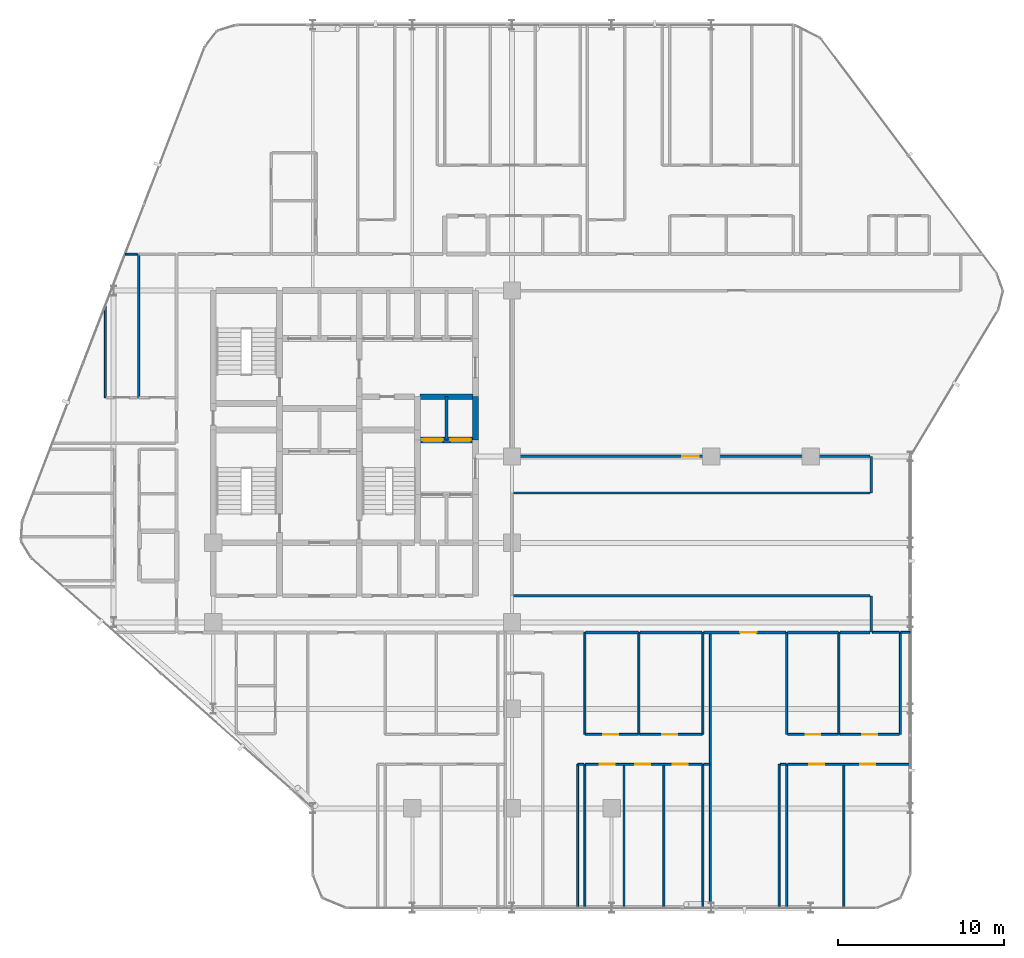
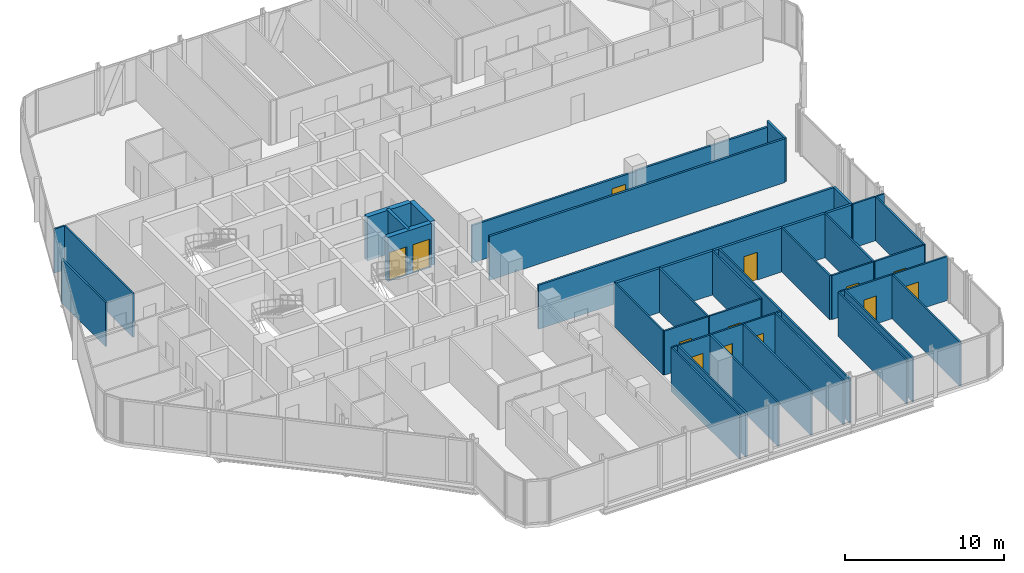
# One storey, part 25 of 29: 44 walls, 13 doors, 13 openings.
"""IFC4 building model written with IfcOpenShell, lengths in metres."""

from ifc_helpers import new_model, si_unit, direction, frame, frame_2d, origin, place, context, subcontext, project, spatial, rectangle, extrude, material, layer, layer_set, type_object, element, fill, save


model = new_model("IFC4")

# Units and contexts
model_context = context("Model", 3, precision=1e-05, world=origin(), true_north=direction((0.0, 1.0)))
body_context = subcontext(model_context, "Body", "Model", "MODEL_VIEW")
ifc_project = project(units=[si_unit("LENGTHUNIT", "METRE"), si_unit("AREAUNIT", "SQUARE_METRE"), si_unit("VOLUMEUNIT", "CUBIC_METRE"), si_unit("PLANEANGLEUNIT", "RADIAN"), si_unit("MASSUNIT", "GRAM", prefix="KILO")], contexts=[model_context])

# Site, building, storey
site_placement = place(None, origin())
site = spatial("IfcSite", under=ifc_project, at=site_placement, CompositionType="ELEMENT")
building_placement = place(site_placement, origin())
building = spatial("IfcBuilding", under=site, at=building_placement, Name="Keshet Zoharim Tower", CompositionType="ELEMENT")
storey_placement = place(building_placement, frame((0.0, 0.0, 94.60009765625)))
storey = spatial("IfcBuildingStorey", under=building, at=storey_placement, Name="L22", CompositionType="ELEMENT", Elevation=94.60009765625)

# Walls
ifc_material_1 = material(Name="Gypsum Plasterboard", Category="gypsum")
ifc_layer_1 = layer(ifc_material_1, 0.14990234375)
ifc_layer_set_1 = layer_set([ifc_layer_1], Name="Gypsum Plasterboard")
wall_type_1 = type_object("IfcWallType", Name="WL-CLIN-150", PredefinedType="STANDARD", material=ifc_layer_set_1)
wall_1_placement = place(storey_placement, frame((54.64990234375, 17.31005859375, 0.0), z_axis=(0.0, 0.0, 1.0), x_axis=(0.0, 1.0, 0.0)))
element("IfcWall", 1, at=wall_1_placement, inside=storey, type_object=wall_type_1, Name="L22 Interior Wall 111", PredefinedType="STANDARD", context=body_context, shape_type="SweptSolid", body=[
    extrude(rectangle(XDim=2.18994140625, YDim=0.14990234375, at=frame_2d((1.094970703125, 0.0))), origin(), (0.0, 0.0, 1.0), 3.385009765625),
])
wall_2_placement = place(storey_placement, frame((54.64990234375, 25.699951171875, 0.0), z_axis=(0.0, 0.0, 1.0), x_axis=(0.0, 1.0, 0.0)))
element("IfcWall", 2, at=wall_2_placement, inside=storey, type_object=wall_type_1, Name="L22 Interior Wall 112", PredefinedType="STANDARD", context=body_context, shape_type="SweptSolid", body=[
    extrude(rectangle(XDim=2.199951171875, YDim=0.14990234375, at=frame_2d((1.10009765625, 0.0))), origin(), (0.0, 0.0, 1.0), 3.385009765625),
])
for number, where, z_axis, x_axis, name in (
    (3, (33.070068359375, 19.5, 0.0), (0.0, 0.0, 1.0), (1.0, 0.0, 0.0), "L22 Interior Wall 153"),
    (4, (33.070068359375, 25.699951171875, 0.0), (0.0, 0.0, 1.0), (1.0, 0.0, 0.0), "L22 Interior Wall 167"),
):
    element("IfcWall", number, at=place(storey_placement, frame(where, z_axis=z_axis, x_axis=x_axis)), inside=storey, type_object=wall_type_1, Name=name, PredefinedType="STANDARD", context=body_context, shape_type="SweptSolid", body=[
        extrude(rectangle(XDim=21.510009765625, YDim=0.14990234375, at=frame_2d((10.7548828125, 0.0))), origin(), (0.0, 0.0, 1.0), 3.385009765625),
    ])

# Wall, opening, door
wall_3_placement = place(storey_placement, frame((33.070068359375, 27.89990234375, 0.0), z_axis=(0.0, 0.0, 1.0), x_axis=(1.0, 0.0, 0.0)))
wall_3 = element("IfcWall", 5, at=wall_3_placement, inside=storey, type_object=wall_type_1, Name="L22 Interior Wall 168", PredefinedType="STANDARD", context=body_context, shape_type="SweptSolid", body=[
    extrude(rectangle(XDim=11.929931640625, YDim=0.14990234375, at=frame_2d((5.96484375, 0.0))), origin(), (0.0, 0.0, 1.0), 2.885009765625),
])
opening_1_placement = place(wall_3_placement, frame((10.18505859375, 0.0, 0.0)))
opening_1 = element("IfcOpeningElement", 6, at=opening_1_placement, cuts=wall_3, Name="Opening D-F310", PredefinedType="OPENING", context=body_context, shape_type="SweptSolid", body=[
    extrude(rectangle(XDim=1.0, YDim=2.14990234375, at=frame_2d((0.5, 1.074951171875))), frame((0.0, 0.0849609375, 0.0), z_axis=(0.0, -1.0, 0.0), x_axis=(1.0, 0.0, 0.0)), (0.0, 0.0, 1.0), 0.169921875),
])
ifc_material_2 = material(Name="Hardwood Timber", Category="wood")
door_type_1 = type_object("IfcDoorType", Name="DR-FD30-100", OperationType="NOTDEFINED", PredefinedType="DOOR", material=ifc_material_2)
door_1_placement = place(opening_1_placement, origin())
door_1 = element("IfcDoor", 7, at=door_1_placement, inside=storey, type_object=door_type_1, Name="L22 North East Residents Services Suite Door 2", OperationType="SINGLE_SWING_LEFT", OverallHeight=2.14990234375, OverallWidth=1.0, PredefinedType="DOOR", context=body_context, shape_type="SweptSolid", body=[
    extrude(rectangle(XDim=1.0, YDim=2.14990234375, at=frame_2d((0.5, 1.074951171875))), frame((0.0, 0.02490234375, 0.0), z_axis=(0.0, -1.0, 0.0), x_axis=(1.0, 0.0, 0.0)), (0.0, 0.0, 1.0), 0.050048828125),
])
fill(opening_1, door_1)

# Walls
wall_4_placement = place(storey_placement, frame((45.0, 27.89990234375, 0.0), z_axis=(0.0, 0.0, 1.0), x_axis=(1.0, 0.0, 0.0)))
element("IfcWall", 8, at=wall_4_placement, inside=storey, type_object=wall_type_1, Name="L22 Interior Wall 168 Part 2", PredefinedType="STANDARD", context=body_context, shape_type="SweptSolid", body=[
    extrude(rectangle(XDim=9.580078125, YDim=0.14990234375, at=frame_2d((4.7900390625, 0.0))), origin(), (0.0, 0.0, 1.0), 2.934814453125),
])
ifc_material_3 = material(Name="Concrete C60/75", Category="concrete")
ifc_layer_2 = layer(ifc_material_3, 0.35009765625)
ifc_layer_set_2 = layer_set([ifc_layer_2], Name="Concrete C60/75")
wall_type_2 = type_object("IfcWallType", Name="WL-CORE-350", PredefinedType="SHEAR", material=ifc_layer_set_2)
wall_5_placement = place(storey_placement, frame((30.800048828125, 28.89990234375, 0.0), z_axis=(0.0, 0.0, 1.0), x_axis=(0.0, 1.0, 0.0)))
element("IfcWall", 9, at=wall_5_placement, inside=storey, type_object=wall_type_2, Name="L22 Core Shear Wall 065", PredefinedType="SHEAR", context=body_context, shape_type="SweptSolid", body=[
    extrude(rectangle(XDim=2.60009765625, YDim=0.35009765625, at=frame_2d((1.300048828125, 0.0))), origin(), (0.0, 0.0, 1.0), 3.385009765625),
])

# Wall, openings, doors
wall_6_placement = place(storey_placement, frame((27.4599609375, 28.89990234375, 0.0), z_axis=(0.0, 0.0, 1.0), x_axis=(1.0, 0.0, 0.0)))
wall_6 = element("IfcWall", 10, at=wall_6_placement, inside=storey, type_object=wall_type_2, Name="L22 Core Shear Wall 174", PredefinedType="SHEAR", context=body_context, shape_type="SweptSolid", body=[
    extrude(rectangle(XDim=3.179931640625, YDim=0.35009765625, at=frame_2d((1.58984375, 0.0))), origin(), (0.0, 0.0, 1.0), 3.385009765625),
])
opening_2_placement = place(wall_6_placement, frame((0.1201171875, 0.0, 0.0)))
opening_2 = element("IfcOpeningElement", 11, at=opening_2_placement, cuts=wall_6, Name="Opening LD-01", PredefinedType="OPENING", context=body_context, shape_type="SweptSolid", body=[
    extrude(rectangle(XDim=1.25, YDim=2.199951171875, at=frame_2d((0.625, 1.10009765625))), frame((0.0, 0.18505859375, 0.0), z_axis=(0.0, -1.0, 0.0), x_axis=(1.0, 0.0, 0.0)), (0.0, 0.0, 1.0), 0.3701171875),
])
opening_3_placement = place(wall_6_placement, frame((1.81005859375, 0.0, 0.0)))
opening_3 = element("IfcOpeningElement", 12, at=opening_3_placement, cuts=wall_6, Name="Opening LD-01", PredefinedType="OPENING", context=body_context, shape_type="SweptSolid", body=[
    extrude(rectangle(XDim=1.25, YDim=2.199951171875, at=frame_2d((0.625, 1.10009765625))), frame((0.0, 0.18505859375, 0.0), z_axis=(0.0, -1.0, 0.0), x_axis=(1.0, 0.0, 0.0)), (0.0, 0.0, 1.0), 0.3701171875),
])
ifc_material_4 = material(Name="Steel S355", Category="steel")
door_type_2 = type_object("IfcDoorType", Name="DR-LD01-125", OperationType="DOUBLE_DOOR_SLIDING", PredefinedType="DOOR", material=ifc_material_4)
door_2_placement = place(opening_2_placement, origin())
door_2 = element("IfcDoor", 13, at=door_2_placement, inside=storey, type_object=door_type_2, Name="L22 Passenger Lift Landing Door LF-05", OperationType="DOUBLE_DOOR_SLIDING", OverallHeight=2.199951171875, OverallWidth=1.25, PredefinedType="DOOR", context=body_context, shape_type="SweptSolid", body=[
    extrude(rectangle(XDim=1.25, YDim=2.199951171875, at=frame_2d((0.625, 1.10009765625))), frame((0.0, 0.02490234375, 0.0), z_axis=(0.0, -1.0, 0.0), x_axis=(1.0, 0.0, 0.0)), (0.0, 0.0, 1.0), 0.050048828125),
])
fill(opening_2, door_2)
door_3_placement = place(opening_3_placement, origin())
door_3 = element("IfcDoor", 14, at=door_3_placement, inside=storey, type_object=door_type_2, Name="L22 Passenger Lift Landing Door LF-06", OperationType="DOUBLE_DOOR_SLIDING", OverallHeight=2.199951171875, OverallWidth=1.25, PredefinedType="DOOR", context=body_context, shape_type="SweptSolid", body=[
    extrude(rectangle(XDim=1.25, YDim=2.199951171875, at=frame_2d((0.625, 1.10009765625))), frame((0.0, 0.02490234375, 0.0), z_axis=(0.0, -1.0, 0.0), x_axis=(1.0, 0.0, 0.0)), (0.0, 0.0, 1.0), 0.050048828125),
])
fill(opening_3, door_3)

# Walls
wall_7_placement = place(storey_placement, frame((27.4599609375, 31.5, 0.0), z_axis=(0.0, 0.0, 1.0), x_axis=(1.0, 0.0, 0.0)))
element("IfcWall", 15, at=wall_7_placement, inside=storey, type_object=wall_type_2, Name="L22 Core Shear Wall 182", PredefinedType="SHEAR", context=body_context, shape_type="SweptSolid", body=[
    extrude(rectangle(XDim=3.179931640625, YDim=0.35009765625, at=frame_2d((1.58984375, 0.0))), origin(), (0.0, 0.0, 1.0), 3.385009765625),
])
ifc_layer_3 = layer(ifc_material_1, 0.179931640625)
ifc_layer_set_3 = layer_set([ifc_layer_3], Name="Gypsum Plasterboard")
wall_type_3 = type_object("IfcWallType", Name="WL-CORR-180", PredefinedType="STANDARD", material=ifc_layer_set_3)
wall_8_placement = place(storey_placement, frame((37.425048828125, 17.300048828125, 0.0), z_axis=(0.0, 0.0, 1.0), x_axis=(1.0, 0.0, 0.0)))
element("IfcWall", 16, at=wall_8_placement, inside=storey, type_object=wall_type_3, Name="L22 Interior Wall 142", PredefinedType="STANDARD", context=body_context, shape_type="SweptSolid", body=[
    extrude(rectangle(XDim=3.18994140625, YDim=0.179931640625, at=frame_2d((1.594970703125, 0.0))), origin(), (0.0, 0.0, 1.0), 3.385009765625),
])
wall_9_placement = place(storey_placement, frame((40.705078125, 17.300048828125, 0.0), z_axis=(0.0, 0.0, 1.0), x_axis=(1.0, 0.0, 0.0)))
element("IfcWall", 17, at=wall_9_placement, inside=storey, type_object=wall_type_3, Name="L22 Interior Wall 143", PredefinedType="STANDARD", context=body_context, shape_type="SweptSolid", body=[
    extrude(rectangle(XDim=3.760009765625, YDim=0.179931640625, at=frame_2d((1.8798828125, 0.0))), origin(), (0.0, 0.0, 1.0), 3.385009765625),
])

# Wall, opening, door
wall_10_placement = place(storey_placement, frame((44.554931640625, 17.300048828125, 0.0), z_axis=(0.0, 0.0, 1.0), x_axis=(1.0, 0.0, 0.0)))
wall_10 = element("IfcWall", 18, at=wall_10_placement, inside=storey, type_object=wall_type_3, Name="L22 Interior Wall 144", PredefinedType="STANDARD", context=body_context, shape_type="SweptSolid", body=[
    extrude(rectangle(XDim=4.969970703125, YDim=0.179931640625, at=frame_2d((2.48486328125, 0.0))), origin(), (0.0, 0.0, 1.0), 3.385009765625),
])
opening_4_placement = place(wall_10_placement, frame((2.18505859375, 0.0, 0.0)))
opening_4 = element("IfcOpeningElement", 19, at=opening_4_placement, cuts=wall_10, Name="Opening D-F310", PredefinedType="OPENING", context=body_context, shape_type="SweptSolid", body=[
    extrude(rectangle(XDim=1.0, YDim=2.14990234375, at=frame_2d((0.5, 1.074951171875))), frame((0.0, 0.10009765625, 0.0), z_axis=(0.0, -1.0, 0.0), x_axis=(1.0, 0.0, 0.0)), (0.0, 0.0, 1.0), 0.199951171875),
])
door_4_placement = place(opening_4_placement, origin())
door_4 = element("IfcDoor", 20, at=door_4_placement, inside=storey, type_object=door_type_1, Name="Apartment 2204 Entrance Door", OperationType="SINGLE_SWING_RIGHT", OverallHeight=2.14990234375, OverallWidth=1.0, PredefinedType="DOOR", context=body_context, shape_type="SweptSolid", body=[
    extrude(rectangle(XDim=1.0, YDim=2.14990234375, at=frame_2d((0.5, 1.074951171875))), frame((0.0, 0.02490234375, 0.0), z_axis=(0.0, -1.0, 0.0), x_axis=(1.0, 0.0, 0.0)), (0.0, 0.0, 1.0), 0.050048828125),
])
fill(opening_4, door_4)

# Walls
wall_11_placement = place(storey_placement, frame((49.614990234375, 17.300048828125, 0.0), z_axis=(0.0, 0.0, 1.0), x_axis=(1.0, 0.0, 0.0)))
element("IfcWall", 21, at=wall_11_placement, inside=storey, type_object=wall_type_3, Name="L22 Interior Wall 145", PredefinedType="STANDARD", context=body_context, shape_type="SweptSolid", body=[
    extrude(rectangle(XDim=3.047119140625, YDim=0.179931640625, at=frame_2d((1.5234375, 0.0))), origin(), (0.0, 0.0, 1.0), 3.385009765625),
])
wall_12_placement = place(storey_placement, frame((52.751953125, 17.300048828125, 0.0), z_axis=(0.0, 0.0, 1.0), x_axis=(1.0, 0.0, 0.0)))
element("IfcWall", 22, at=wall_12_placement, inside=storey, type_object=wall_type_3, Name="L22 Interior Wall 146", PredefinedType="STANDARD", context=body_context, shape_type="SweptSolid", body=[
    extrude(rectangle(XDim=1.828125, YDim=0.179931640625, at=frame_2d((0.9140625, 0.0))), origin(), (0.0, 0.0, 1.0), 3.385009765625),
])
ifc_material_5 = material(Name="Concrete C50/60", Category="concrete")
ifc_layer_4 = layer(ifc_material_5, 0.199951171875)
ifc_layer_set_4 = layer_set([ifc_layer_4], Name="Concrete C50/60")
wall_type_4 = type_object("IfcWallType", Name="WL-FIRE-200", PredefinedType="STANDARD", material=ifc_layer_set_4)
wall_13_placement = place(storey_placement, frame((29.050048828125, 28.89990234375, 0.0), z_axis=(0.0, 0.0, 1.0), x_axis=(0.0, 1.0, 0.0)))
element("IfcWall", 23, at=wall_13_placement, inside=storey, type_object=wall_type_4, Name="L22 Interior Wall 060", PredefinedType="STANDARD", context=body_context, shape_type="SweptSolid", body=[
    extrude(rectangle(XDim=2.60009765625, YDim=0.199951171875, at=frame_2d((1.300048828125, 0.0))), origin(), (0.0, 0.0, 1.0), 3.385009765625),
])
ifc_layer_5 = layer(ifc_material_1, 0.1201171875)
ifc_layer_set_5 = layer_set([ifc_layer_5], Name="Gypsum Plasterboard")
wall_type_5 = type_object("IfcWallType", Name="WL-PART-120", PredefinedType="PARTITIONING", material=ifc_layer_set_5)
wall_14_placement = place(storey_placement, frame((8.5, 31.449951171875, 0.0), z_axis=(0.0, 0.0, 1.0), x_axis=(0.0, 1.0, 0.0)))
element("IfcWall", 24, at=wall_14_placement, inside=storey, type_object=wall_type_5, Name="L22 Interior Wall 001", PredefinedType="PARTITIONING", context=body_context, shape_type="SweptSolid", body=[
    extrude(rectangle(XDim=5.5400390625, YDim=0.1201171875, at=frame_2d((2.77001953125, 0.0))), origin(), (0.0, 0.0, 1.0), 3.385009765625),
])
for number, where, z_axis, x_axis, name in (
    (25, (36.949951171875, 0.7099609375, 0.0), (0.0, 0.0, 1.0), (0.0, 1.0, 0.0), "L22 Interior Wall 080"),
    (26, (37.39990234375, 0.7099609375, 0.0), (0.0, 0.0, 1.0), (0.0, 1.0, 0.0), "L22 Interior Wall 083"),
):
    element("IfcWall", number, at=place(storey_placement, frame(where, z_axis=z_axis, x_axis=x_axis)), inside=storey, type_object=wall_type_5, Name=name, PredefinedType="PARTITIONING", context=body_context, shape_type="SweptSolid", body=[
        extrude(rectangle(XDim=8.64013671875, YDim=0.1201171875, at=frame_2d((4.320068359375, 0.0))), origin(), (0.0, 0.0, 1.0), 3.385009765625),
    ])
wall_15_placement = place(storey_placement, frame((37.39990234375, 11.14990234375, 0.0), z_axis=(0.0, 0.0, 1.0), x_axis=(0.0, 1.0, 0.0)))
element("IfcWall", 27, at=wall_15_placement, inside=storey, type_object=wall_type_5, Name="L22 Interior Wall 084", PredefinedType="PARTITIONING", context=body_context, shape_type="SweptSolid", body=[
    extrude(rectangle(XDim=6.150146484375, YDim=0.1201171875, at=frame_2d((3.0751953125, 0.0))), origin(), (0.0, 0.0, 1.0), 3.385009765625),
])
for number, where, z_axis, x_axis, name in (
    (28, (39.75, 0.7099609375, 0.0), (0.0, 0.0, 1.0), (0.0, 1.0, 0.0), "L22 Interior Wall 088"),
    (29, (42.14990234375, 0.7099609375, 0.0), (0.0, 0.0, 1.0), (0.0, 1.0, 0.0), "L22 Interior Wall 092"),
    (30, (44.5, 0.7099609375, 0.0), (0.0, 0.0, 1.0), (0.0, 1.0, 0.0), "L22 Interior Wall 095"),
):
    element("IfcWall", number, at=place(storey_placement, frame(where, z_axis=z_axis, x_axis=x_axis)), inside=storey, type_object=wall_type_5, Name=name, PredefinedType="PARTITIONING", context=body_context, shape_type="SweptSolid", body=[
        extrude(rectangle(XDim=8.64013671875, YDim=0.1201171875, at=frame_2d((4.320068359375, 0.0))), origin(), (0.0, 0.0, 1.0), 3.385009765625),
    ])
wall_16_placement = place(storey_placement, frame((44.949951171875, 0.7099609375, 0.0), z_axis=(0.0, 0.0, 1.0), x_axis=(0.0, 1.0, 0.0)))
element("IfcWall", 31, at=wall_16_placement, inside=storey, type_object=wall_type_5, Name="L22 Interior Wall 097", PredefinedType="PARTITIONING", context=body_context, shape_type="SweptSolid", body=[
    extrude(rectangle(XDim=16.590087890625, YDim=0.1201171875, at=frame_2d((8.294921875, 0.0))), origin(), (0.0, 0.0, 1.0), 3.385009765625),
])
for number, where, z_axis, x_axis, name in (
    (32, (49.10009765625, 0.7099609375, 0.0), (0.0, 0.0, 1.0), (0.0, 1.0, 0.0), "L22 Interior Wall 101"),
    (33, (49.550048828125, 0.7099609375, 0.0), (0.0, 0.0, 1.0), (0.0, 1.0, 0.0), "L22 Interior Wall 102"),
):
    element("IfcWall", number, at=place(storey_placement, frame(where, z_axis=z_axis, x_axis=x_axis)), inside=storey, type_object=wall_type_5, Name=name, PredefinedType="PARTITIONING", context=body_context, shape_type="SweptSolid", body=[
        extrude(rectangle(XDim=8.64013671875, YDim=0.1201171875, at=frame_2d((4.320068359375, 0.0))), origin(), (0.0, 0.0, 1.0), 3.385009765625),
    ])
wall_17_placement = place(storey_placement, frame((49.550048828125, 11.14990234375, 0.0), z_axis=(0.0, 0.0, 1.0), x_axis=(0.0, 1.0, 0.0)))
element("IfcWall", 34, at=wall_17_placement, inside=storey, type_object=wall_type_5, Name="L22 Interior Wall 103", PredefinedType="PARTITIONING", context=body_context, shape_type="SweptSolid", body=[
    extrude(rectangle(XDim=6.150146484375, YDim=0.1201171875, at=frame_2d((3.0751953125, 0.0))), origin(), (0.0, 0.0, 1.0), 3.385009765625),
])
wall_18_placement = place(storey_placement, frame((53.0, 0.7099609375, 0.0), z_axis=(0.0, 0.0, 1.0), x_axis=(0.0, 1.0, 0.0)))
element("IfcWall", 35, at=wall_18_placement, inside=storey, type_object=wall_type_5, Name="L22 Interior Wall 109", PredefinedType="PARTITIONING", context=body_context, shape_type="SweptSolid", body=[
    extrude(rectangle(XDim=8.64013671875, YDim=0.1201171875, at=frame_2d((4.320068359375, 0.0))), origin(), (0.0, 0.0, 1.0), 3.385009765625),
])
wall_19_placement = place(storey_placement, frame((36.97509765625, 9.35009765625, 0.0), z_axis=(0.0, 0.0, 1.0), x_axis=(1.0, 0.0, 0.0)))
element("IfcWall", 36, at=wall_19_placement, inside=storey, type_object=wall_type_5, Name="L22 Interior Wall 120", PredefinedType="PARTITIONING", context=body_context, shape_type="SweptSolid", body=[
    extrude(rectangle(XDim=0.35986328125, YDim=0.1201171875, at=frame_2d((0.179931640625, 0.0))), origin(), (0.0, 0.0, 1.0), 3.385009765625),
])

# Wall, openings, doors
wall_20_placement = place(storey_placement, frame((37.425048828125, 9.35009765625, 0.0), z_axis=(0.0, 0.0, 1.0), x_axis=(1.0, 0.0, 0.0)))
wall_20 = element("IfcWall", 37, at=wall_20_placement, inside=storey, type_object=wall_type_5, Name="L22 Interior Wall 121", PredefinedType="PARTITIONING", context=body_context, shape_type="SweptSolid", body=[
    extrude(rectangle(XDim=7.0400390625, YDim=0.1201171875, at=frame_2d((3.52001953125, 0.0))), origin(), (0.0, 0.0, 1.0), 3.385009765625),
])
opening_5_placement = place(wall_20_placement, frame((0.867919921875, 0.0, 0.0)))
opening_5 = element("IfcOpeningElement", 38, at=opening_5_placement, cuts=wall_20, Name="Opening D-IN90", PredefinedType="OPENING", context=body_context, shape_type="SweptSolid", body=[
    extrude(rectangle(XDim=0.89990234375, YDim=2.14990234375, at=frame_2d((0.449951171875, 1.074951171875))), frame((0.0, 0.070068359375, 0.0), z_axis=(0.0, -1.0, 0.0), x_axis=(1.0, 0.0, 0.0)), (0.0, 0.0, 1.0), 0.14013671875),
])
opening_6_placement = place(wall_20_placement, frame((2.9990234375, 0.0, 0.0)))
opening_6 = element("IfcOpeningElement", 39, at=opening_6_placement, cuts=wall_20, Name="Opening D-IN90", PredefinedType="OPENING", context=body_context, shape_type="SweptSolid", body=[
    extrude(rectangle(XDim=0.89990234375, YDim=2.14990234375, at=frame_2d((0.449951171875, 1.074951171875))), frame((0.0, 0.070068359375, 0.0), z_axis=(0.0, -1.0, 0.0), x_axis=(1.0, 0.0, 0.0)), (0.0, 0.0, 1.0), 0.14013671875),
])
opening_7_placement = place(wall_20_placement, frame((5.27197265625, 0.0, 0.0)))
opening_7 = element("IfcOpeningElement", 40, at=opening_7_placement, cuts=wall_20, Name="Opening D-IN90", PredefinedType="OPENING", context=body_context, shape_type="SweptSolid", body=[
    extrude(rectangle(XDim=0.89990234375, YDim=2.14990234375, at=frame_2d((0.449951171875, 1.074951171875))), frame((0.0, 0.070068359375, 0.0), z_axis=(0.0, -1.0, 0.0), x_axis=(1.0, 0.0, 0.0)), (0.0, 0.0, 1.0), 0.14013671875),
])
door_type_3 = type_object("IfcDoorType", Name="DR-INT-090", OperationType="NOTDEFINED", PredefinedType="DOOR", material=ifc_material_2)
door_5_placement = place(opening_5_placement, origin())
door_5 = element("IfcDoor", 41, at=door_5_placement, inside=storey, type_object=door_type_3, Name="Apartment 2203 Bedroom 1 Door", OperationType="SINGLE_SWING_LEFT", OverallHeight=2.14990234375, OverallWidth=0.89990234375, PredefinedType="DOOR", context=body_context, shape_type="SweptSolid", body=[
    extrude(rectangle(XDim=0.89990234375, YDim=2.14990234375, at=frame_2d((0.449951171875, 1.074951171875))), frame((0.0, 0.02490234375, 0.0), z_axis=(0.0, -1.0, 0.0), x_axis=(1.0, 0.0, 0.0)), (0.0, 0.0, 1.0), 0.050048828125),
])
fill(opening_5, door_5)
door_6_placement = place(opening_6_placement, origin())
door_6 = element("IfcDoor", 42, at=door_6_placement, inside=storey, type_object=door_type_3, Name="Apartment 2203 Bedroom 2 Door", OperationType="SINGLE_SWING_RIGHT", OverallHeight=2.14990234375, OverallWidth=0.89990234375, PredefinedType="DOOR", context=body_context, shape_type="SweptSolid", body=[
    extrude(rectangle(XDim=0.89990234375, YDim=2.14990234375, at=frame_2d((0.449951171875, 1.074951171875))), frame((0.0, 0.02490234375, 0.0), z_axis=(0.0, -1.0, 0.0), x_axis=(1.0, 0.0, 0.0)), (0.0, 0.0, 1.0), 0.050048828125),
])
fill(opening_6, door_6)
door_7_placement = place(opening_7_placement, origin())
door_7 = element("IfcDoor", 43, at=door_7_placement, inside=storey, type_object=door_type_3, Name="Apartment 2203 Bedroom 3 Door", OperationType="SINGLE_SWING_LEFT", OverallHeight=2.14990234375, OverallWidth=0.89990234375, PredefinedType="DOOR", context=body_context, shape_type="SweptSolid", body=[
    extrude(rectangle(XDim=0.89990234375, YDim=2.14990234375, at=frame_2d((0.449951171875, 1.074951171875))), frame((0.0, 0.02490234375, 0.0), z_axis=(0.0, -1.0, 0.0), x_axis=(1.0, 0.0, 0.0)), (0.0, 0.0, 1.0), 0.050048828125),
])
fill(opening_7, door_7)

# Walls
wall_21_placement = place(storey_placement, frame((44.554931640625, 9.35009765625, 0.0), z_axis=(0.0, 0.0, 1.0), x_axis=(1.0, 0.0, 0.0)))
element("IfcWall", 44, at=wall_21_placement, inside=storey, type_object=wall_type_5, Name="L22 Interior Wall 122", PredefinedType="PARTITIONING", context=body_context, shape_type="SweptSolid", body=[
    extrude(rectangle(XDim=0.360107421875, YDim=0.1201171875, at=frame_2d((0.18017578125, 0.0))), origin(), (0.0, 0.0, 1.0), 3.385009765625),
])
wall_22_placement = place(storey_placement, frame((49.1650390625, 9.35009765625, 0.0), z_axis=(0.0, 0.0, 1.0), x_axis=(1.0, 0.0, 0.0)))
element("IfcWall", 45, at=wall_22_placement, inside=storey, type_object=wall_type_5, Name="L22 Interior Wall 123", PredefinedType="PARTITIONING", context=body_context, shape_type="SweptSolid", body=[
    extrude(rectangle(XDim=0.35986328125, YDim=0.1201171875, at=frame_2d((0.179931640625, 0.0))), origin(), (0.0, 0.0, 1.0), 3.385009765625),
])

# Wall, openings, doors
wall_23_placement = place(storey_placement, frame((49.614990234375, 9.35009765625, 0.0), z_axis=(0.0, 0.0, 1.0), x_axis=(1.0, 0.0, 0.0)))
wall_23 = element("IfcWall", 46, at=wall_23_placement, inside=storey, type_object=wall_type_5, Name="L22 Interior Wall 124", PredefinedType="PARTITIONING", context=body_context, shape_type="SweptSolid", body=[
    extrude(rectangle(XDim=7.375, YDim=0.1201171875, at=frame_2d((3.6875, 0.0))), origin(), (0.0, 0.0, 1.0), 3.385009765625),
])
opening_8_placement = place(wall_23_placement, frame((1.31005859375, 0.0, 0.0)))
opening_8 = element("IfcOpeningElement", 47, at=opening_8_placement, cuts=wall_23, Name="Opening D-IN90", PredefinedType="OPENING", context=body_context, shape_type="SweptSolid", body=[
    extrude(rectangle(XDim=0.89990234375, YDim=2.14990234375, at=frame_2d((0.449951171875, 1.074951171875))), frame((0.0, 0.070068359375, 0.0), z_axis=(0.0, -1.0, 0.0), x_axis=(1.0, 0.0, 0.0)), (0.0, 0.0, 1.0), 0.14013671875),
])
opening_9_placement = place(wall_23_placement, frame((4.3701171875, 0.0, 0.0)))
opening_9 = element("IfcOpeningElement", 48, at=opening_9_placement, cuts=wall_23, Name="Opening D-IN90", PredefinedType="OPENING", context=body_context, shape_type="SweptSolid", body=[
    extrude(rectangle(XDim=0.89990234375, YDim=2.14990234375, at=frame_2d((0.449951171875, 1.074951171875))), frame((0.0, 0.070068359375, 0.0), z_axis=(0.0, -1.0, 0.0), x_axis=(1.0, 0.0, 0.0)), (0.0, 0.0, 1.0), 0.14013671875),
])
door_8_placement = place(opening_8_placement, origin())
door_8 = element("IfcDoor", 49, at=door_8_placement, inside=storey, type_object=door_type_3, Name="Apartment 2204 Bedroom 1 Door", OperationType="SINGLE_SWING_RIGHT", OverallHeight=2.14990234375, OverallWidth=0.89990234375, PredefinedType="DOOR", context=body_context, shape_type="SweptSolid", body=[
    extrude(rectangle(XDim=0.89990234375, YDim=2.14990234375, at=frame_2d((0.449951171875, 1.074951171875))), frame((0.0, 0.02490234375, 0.0), z_axis=(0.0, -1.0, 0.0), x_axis=(1.0, 0.0, 0.0)), (0.0, 0.0, 1.0), 0.050048828125),
])
fill(opening_8, door_8)
door_9_placement = place(opening_9_placement, origin())
door_9 = element("IfcDoor", 50, at=door_9_placement, inside=storey, type_object=door_type_3, Name="Apartment 2204 Bedroom 2 Door", OperationType="SINGLE_SWING_LEFT", OverallHeight=2.14990234375, OverallWidth=0.89990234375, PredefinedType="DOOR", context=body_context, shape_type="SweptSolid", body=[
    extrude(rectangle(XDim=0.89990234375, YDim=2.14990234375, at=frame_2d((0.449951171875, 1.074951171875))), frame((0.0, 0.02490234375, 0.0), z_axis=(0.0, -1.0, 0.0), x_axis=(1.0, 0.0, 0.0)), (0.0, 0.0, 1.0), 0.050048828125),
])
fill(opening_9, door_9)

# Wall, opening, door
wall_24_placement = place(storey_placement, frame((37.425048828125, 11.14990234375, 0.0), z_axis=(0.0, 0.0, 1.0), x_axis=(1.0, 0.0, 0.0)))
wall_24 = element("IfcWall", 51, at=wall_24_placement, inside=storey, type_object=wall_type_5, Name="L22 Interior Wall 127", PredefinedType="PARTITIONING", context=body_context, shape_type="SweptSolid", body=[
    extrude(rectangle(XDim=3.18994140625, YDim=0.1201171875, at=frame_2d((1.594970703125, 0.0))), origin(), (0.0, 0.0, 1.0), 3.385009765625),
])
opening_10_placement = place(wall_24_placement, frame((1.072998046875, 0.0, 0.0)))
opening_10 = element("IfcOpeningElement", 52, at=opening_10_placement, cuts=wall_24, Name="Opening D-IN90", PredefinedType="OPENING", context=body_context, shape_type="SweptSolid", body=[
    extrude(rectangle(XDim=0.89990234375, YDim=2.14990234375, at=frame_2d((0.449951171875, 1.074951171875))), frame((0.0, 0.070068359375, 0.0), z_axis=(0.0, -1.0, 0.0), x_axis=(1.0, 0.0, 0.0)), (0.0, 0.0, 1.0), 0.14013671875),
])
door_10_placement = place(opening_10_placement, origin())
door_10 = element("IfcDoor", 53, at=door_10_placement, inside=storey, type_object=door_type_3, Name="Apartment 2203 Kitchen Door", OperationType="SINGLE_SWING_RIGHT", OverallHeight=2.14990234375, OverallWidth=0.89990234375, PredefinedType="DOOR", context=body_context, shape_type="SweptSolid", body=[
    extrude(rectangle(XDim=0.89990234375, YDim=2.14990234375, at=frame_2d((0.449951171875, 1.074951171875))), frame((0.0, 0.02490234375, 0.0), z_axis=(0.0, -1.0, 0.0), x_axis=(1.0, 0.0, 0.0)), (0.0, 0.0, 1.0), 0.050048828125),
])
fill(opening_10, door_10)

wall_25_placement = place(storey_placement, frame((49.614990234375, 11.14990234375, 0.0), z_axis=(0.0, 0.0, 1.0), x_axis=(1.0, 0.0, 0.0)))
wall_25 = element("IfcWall", 54, at=wall_25_placement, inside=storey, type_object=wall_type_5, Name="L22 Interior Wall 129", PredefinedType="PARTITIONING", context=body_context, shape_type="SweptSolid", body=[
    extrude(rectangle(XDim=3.047119140625, YDim=0.1201171875, at=frame_2d((1.5234375, 0.0))), origin(), (0.0, 0.0, 1.0), 3.385009765625),
])
opening_11_placement = place(wall_25_placement, frame((1.073974609375, 0.0, 0.0)))
opening_11 = element("IfcOpeningElement", 55, at=opening_11_placement, cuts=wall_25, Name="Opening D-IN90", PredefinedType="OPENING", context=body_context, shape_type="SweptSolid", body=[
    extrude(rectangle(XDim=0.89990234375, YDim=2.14990234375, at=frame_2d((0.449951171875, 1.074951171875))), frame((0.0, 0.070068359375, 0.0), z_axis=(0.0, -1.0, 0.0), x_axis=(1.0, 0.0, 0.0)), (0.0, 0.0, 1.0), 0.14013671875),
])
door_11_placement = place(opening_11_placement, origin())
door_11 = element("IfcDoor", 56, at=door_11_placement, inside=storey, type_object=door_type_3, Name="Apartment 2204 Kitchen Door", OperationType="SINGLE_SWING_RIGHT", OverallHeight=2.14990234375, OverallWidth=0.89990234375, PredefinedType="DOOR", context=body_context, shape_type="SweptSolid", body=[
    extrude(rectangle(XDim=0.89990234375, YDim=2.14990234375, at=frame_2d((0.449951171875, 1.074951171875))), frame((0.0, 0.02490234375, 0.0), z_axis=(0.0, -1.0, 0.0), x_axis=(1.0, 0.0, 0.0)), (0.0, 0.0, 1.0), 0.050048828125),
])
fill(opening_11, door_11)

# Walls
wall_26_placement = place(storey_placement, frame((56.43505859375, 17.300048828125, 0.0), z_axis=(0.0, 0.0, 1.0), x_axis=(1.0, 0.0, 0.0)))
element("IfcWall", 57, at=wall_26_placement, inside=storey, type_object=wall_type_5, Name="L22 Interior Wall 148", PredefinedType="PARTITIONING", context=body_context, shape_type="SweptSolid", body=[
    extrude(rectangle(XDim=0.554931640625, YDim=0.1201171875, at=frame_2d((0.27734375, 0.0))), origin(), (0.0, 0.0, 1.0), 3.385009765625),
])
wall_27_placement = place(storey_placement, frame((9.701904296875, 40.10009765625, 0.0), z_axis=(0.0, 0.0, 1.0), x_axis=(1.0, 0.0, 0.0)))
element("IfcWall", 58, at=wall_27_placement, inside=storey, type_object=wall_type_5, Name="L22 Interior Wall 187", PredefinedType="PARTITIONING", context=body_context, shape_type="SweptSolid", body=[
    extrude(rectangle(XDim=0.731201171875, YDim=0.1201171875, at=frame_2d((0.36572265625, 0.0))), origin(), (0.0, 0.0, 1.0), 3.385009765625),
])
ifc_layer_6 = layer(ifc_material_1, 0.1201171875)
ifc_layer_set_6 = layer_set([ifc_layer_6], Name="Gypsum Plasterboard")
wall_type_6 = type_object("IfcWallType", Name="WL-WET-120", PredefinedType="PARTITIONING", material=ifc_layer_set_6)
wall_28_placement = place(storey_placement, frame((10.5, 31.449951171875, 0.0), z_axis=(0.0, 0.0, 1.0), x_axis=(0.0, 1.0, 0.0)))
element("IfcWall", 59, at=wall_28_placement, inside=storey, type_object=wall_type_6, Name="L22 Interior Wall 003", PredefinedType="PARTITIONING", context=body_context, shape_type="SweptSolid", body=[
    extrude(rectangle(XDim=8.650146484375, YDim=0.1201171875, at=frame_2d((4.3251953125, 0.0))), origin(), (0.0, 0.0, 1.0), 3.385009765625),
])
for number, where, z_axis, x_axis, name in (
    (60, (40.64990234375, 11.14990234375, 0.0), (0.0, 0.0, 1.0), (0.0, 1.0, 0.0), "L22 Interior Wall 090"),
    (61, (44.5, 11.14990234375, 0.0), (0.0, 0.0, 1.0), (0.0, 1.0, 0.0), "L22 Interior Wall 096"),
    (62, (52.699951171875, 11.14990234375, 0.0), (0.0, 0.0, 1.0), (0.0, 1.0, 0.0), "L22 Interior Wall 108"),
    (63, (56.39990234375, 11.14990234375, 0.0), (0.0, 0.0, 1.0), (0.0, 1.0, 0.0), "L22 Interior Wall 114"),
):
    element("IfcWall", number, at=place(storey_placement, frame(where, z_axis=z_axis, x_axis=x_axis)), inside=storey, type_object=wall_type_6, Name=name, PredefinedType="PARTITIONING", context=body_context, shape_type="SweptSolid", body=[
        extrude(rectangle(XDim=6.150146484375, YDim=0.1201171875, at=frame_2d((3.0751953125, 0.0))), origin(), (0.0, 0.0, 1.0), 3.385009765625),
    ])

# Wall, opening, door
wall_29_placement = place(storey_placement, frame((40.705078125, 11.14990234375, 0.0), z_axis=(0.0, 0.0, 1.0), x_axis=(1.0, 0.0, 0.0)))
wall_29 = element("IfcWall", 64, at=wall_29_placement, inside=storey, type_object=wall_type_6, Name="L22 Interior Wall 128", PredefinedType="PARTITIONING", context=body_context, shape_type="SweptSolid", body=[
    extrude(rectangle(XDim=3.760009765625, YDim=0.1201171875, at=frame_2d((1.8798828125, 0.0))), origin(), (0.0, 0.0, 1.0), 3.385009765625),
])
opening_12_placement = place(wall_29_placement, frame((1.35791015625, 0.0, 0.0)))
opening_12 = element("IfcOpeningElement", 65, at=opening_12_placement, cuts=wall_29, Name="Opening D-WT90", PredefinedType="OPENING", context=body_context, shape_type="SweptSolid", body=[
    extrude(rectangle(XDim=0.89990234375, YDim=2.10009765625, at=frame_2d((0.449951171875, 1.050048828125))), frame((0.0, 0.070068359375, 0.0), z_axis=(0.0, -1.0, 0.0), x_axis=(1.0, 0.0, 0.0)), (0.0, 0.0, 1.0), 0.14013671875),
])
door_type_4 = type_object("IfcDoorType", Name="DR-WET-090", OperationType="NOTDEFINED", PredefinedType="DOOR", material=ifc_material_2)
door_12_placement = place(opening_12_placement, origin())
door_12 = element("IfcDoor", 66, at=door_12_placement, inside=storey, type_object=door_type_4, Name="Apartment 2203 Bathroom Door", OperationType="SINGLE_SWING_LEFT", OverallHeight=2.10009765625, OverallWidth=0.89990234375, PredefinedType="DOOR", context=body_context, shape_type="SweptSolid", body=[
    extrude(rectangle(XDim=0.89990234375, YDim=2.10009765625, at=frame_2d((0.449951171875, 1.050048828125))), frame((0.0, 0.02490234375, 0.0), z_axis=(0.0, -1.0, 0.0), x_axis=(1.0, 0.0, 0.0)), (0.0, 0.0, 1.0), 0.050048828125),
])
fill(opening_12, door_12)

wall_30_placement = place(storey_placement, frame((52.751953125, 11.14990234375, 0.0), z_axis=(0.0, 0.0, 1.0), x_axis=(1.0, 0.0, 0.0)))
wall_30 = element("IfcWall", 67, at=wall_30_placement, inside=storey, type_object=wall_type_6, Name="L22 Interior Wall 130", PredefinedType="PARTITIONING", context=body_context, shape_type="SweptSolid", body=[
    extrude(rectangle(XDim=3.593017578125, YDim=0.1201171875, at=frame_2d((1.79638671875, 0.0))), origin(), (0.0, 0.0, 1.0), 3.385009765625),
])
opening_13_placement = place(wall_30_placement, frame((1.346923828125, 0.0, 0.0)))
opening_13 = element("IfcOpeningElement", 68, at=opening_13_placement, cuts=wall_30, Name="Opening D-WT90", PredefinedType="OPENING", context=body_context, shape_type="SweptSolid", body=[
    extrude(rectangle(XDim=0.89990234375, YDim=2.10009765625, at=frame_2d((0.449951171875, 1.050048828125))), frame((0.0, 0.070068359375, 0.0), z_axis=(0.0, -1.0, 0.0), x_axis=(1.0, 0.0, 0.0)), (0.0, 0.0, 1.0), 0.14013671875),
])
door_13_placement = place(opening_13_placement, origin())
door_13 = element("IfcDoor", 69, at=door_13_placement, inside=storey, type_object=door_type_4, Name="Apartment 2204 Bathroom Door", OperationType="SINGLE_SWING_LEFT", OverallHeight=2.10009765625, OverallWidth=0.89990234375, PredefinedType="DOOR", context=body_context, shape_type="SweptSolid", body=[
    extrude(rectangle(XDim=0.89990234375, YDim=2.10009765625, at=frame_2d((0.449951171875, 1.050048828125))), frame((0.0, 0.02490234375, 0.0), z_axis=(0.0, -1.0, 0.0), x_axis=(1.0, 0.0, 0.0)), (0.0, 0.0, 1.0), 0.050048828125),
])
fill(opening_13, door_13)

# Wall
wall_31_placement = place(storey_placement, frame((54.7099609375, 17.300048828125, 0.0), z_axis=(0.0, 0.0, 1.0), x_axis=(1.0, 0.0, 0.0)))
element("IfcWall", 70, at=wall_31_placement, inside=storey, type_object=wall_type_6, Name="L22 Interior Wall 147", PredefinedType="PARTITIONING", context=body_context, shape_type="SweptSolid", body=[
    extrude(rectangle(XDim=1.635009765625, YDim=0.1201171875, at=frame_2d((0.8173828125, 0.0))), origin(), (0.0, 0.0, 1.0), 3.385009765625),
])

save(model, "model.ifc")
